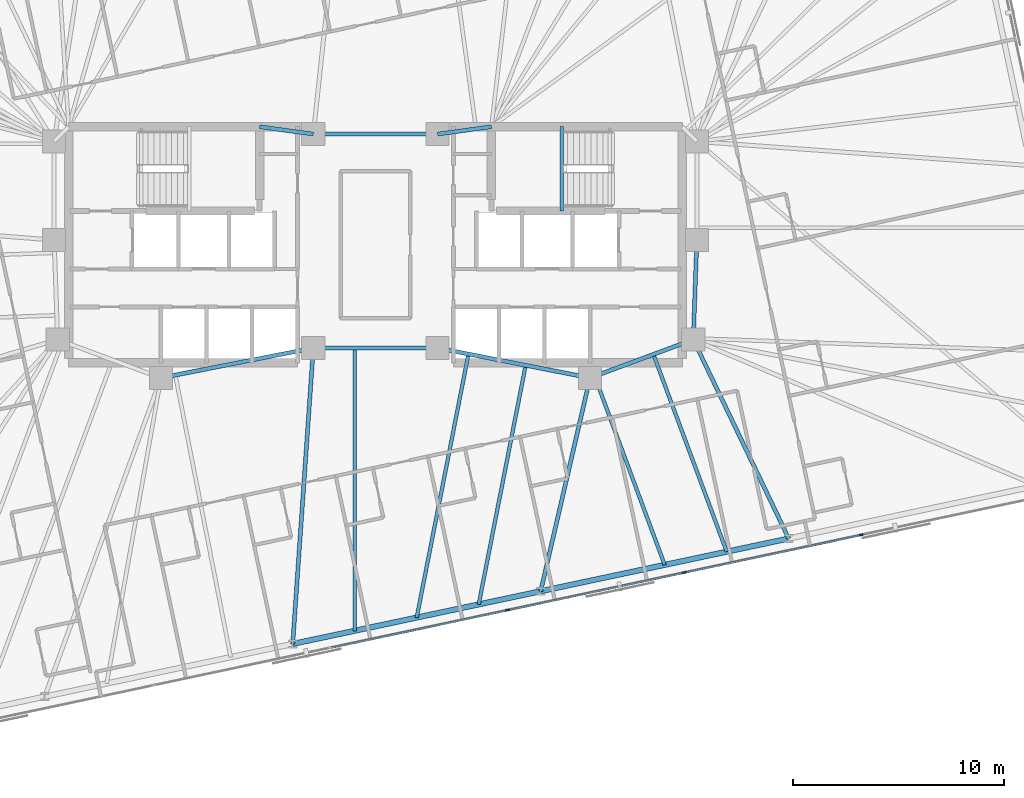
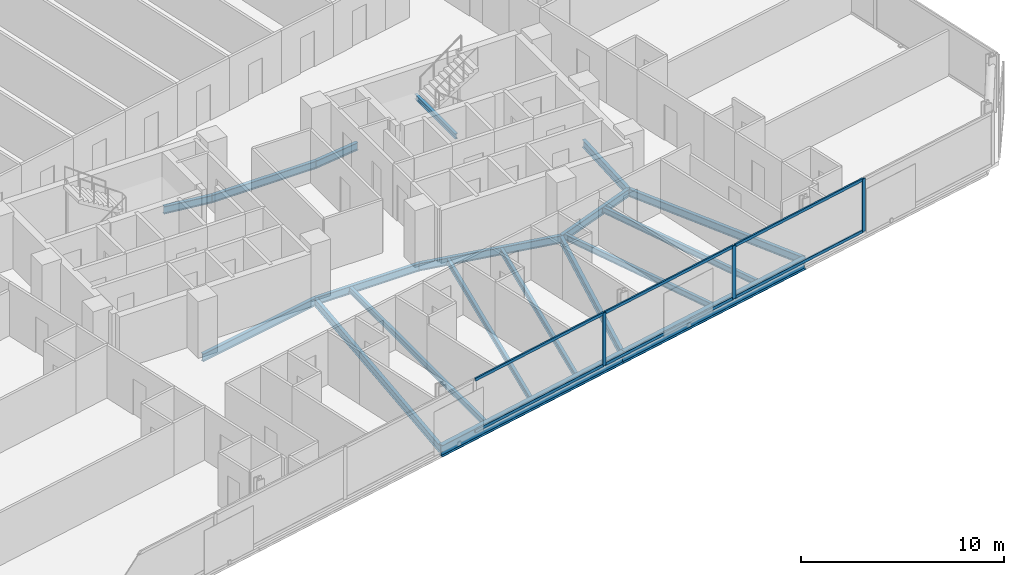
# One storey, part 7 of 21: 19 beams, 9 members, 1 element without a shape of its own.
"""IFC4 building model written with IfcOpenShell, lengths in metres."""

from ifc_helpers import new_model, si_unit, direction, frame, origin, origin_2d, place, context, subcontext, project, spatial, rectangle, i_section, extrude, material, material_profile, profile_set, type_object, element, aggregate, save


model = new_model("IFC4")

# Units and contexts
model_context = context("Model", 3, precision=1e-05, world=origin(), true_north=direction((0.0, 1.0)))
body_context = subcontext(model_context, "Body", "Model", "MODEL_VIEW")
ifc_project = project(units=[si_unit("LENGTHUNIT", "METRE"), si_unit("AREAUNIT", "SQUARE_METRE"), si_unit("VOLUMEUNIT", "CUBIC_METRE"), si_unit("PLANEANGLEUNIT", "RADIAN"), si_unit("MASSUNIT", "GRAM", prefix="KILO")], contexts=[model_context])

# Site, building, storey
site_placement = place(None, origin())
site = spatial("IfcSite", under=ifc_project, at=site_placement, CompositionType="ELEMENT")
building_placement = place(site_placement, origin())
building = spatial("IfcBuilding", under=site, at=building_placement, Name="Menara Jurai Vektor", CompositionType="ELEMENT")
storey_placement = place(building_placement, frame((0.0, 0.0, 168.39990234375)))
storey = spatial("IfcBuildingStorey", under=building, at=storey_placement, Name="L43", CompositionType="ELEMENT", Elevation=168.39990234375)

# Curtain wall, members
ifc_material_1 = material(Name="Anodised Pale Aluminium & Low-E Double Glazing", Category="aluminium")
curtain_wall_type = type_object("IfcCurtainWallType", Name="CW-BLK3", PredefinedType="NOTDEFINED", material=ifc_material_1)
curtain_wall_placement = place(storey_placement, origin())
curtain_wall = element("IfcCurtainWall", 1, at=curtain_wall_placement, inside=storey, type_object=curtain_wall_type, Name="Unitised Curtain Wall L43 F01", PredefinedType="NOTDEFINED")
ifc_material_2 = material(Name="Anodised Pale Aluminium Mullion", Category="aluminium")
ifc_material_profile_1 = material_profile(ifc_material_2, rectangle(XDim=0.0849609375, YDim=0.205078125, at=origin_2d()), Name="ALU MUL 85x205")
ifc_profile_set_1 = profile_set([ifc_material_profile_1], Name="Anodised Pale Aluminium Mullion")
member_type_1 = type_object("IfcMemberType", Name="CW-BLK3-MUL", PredefinedType="MULLION", material=ifc_profile_set_1)
member_1_placement = place(storey_placement, frame((6.264892578125, -17.338623046875, 0.0), z_axis=(0.0, 0.0, 1.0), x_axis=(-0.207911344156, 0.978147674419, 0.0)))
member_1 = element("IfcMember", 2, at=member_1_placement, type_object=member_type_1, Name="CW-03 mullion 5", PredefinedType="MULLION", context=body_context, shape_type="SweptSolid", body=[
    extrude(rectangle(XDim=0.0849609375, YDim=0.205078125, at=origin_2d()), origin(), (0.0, 0.0, 1.0), 3.175048828125),
])
member_2_placement = place(storey_placement, frame((14.65478515625, -15.55517578125, 0.0), z_axis=(0.0, 0.0, 1.0), x_axis=(-0.207911344156, 0.978147674419, 0.0)))
member_2 = element("IfcMember", 3, at=member_2_placement, type_object=member_type_1, Name="CW-03 mullion 6", PredefinedType="MULLION", context=body_context, shape_type="SweptSolid", body=[
    extrude(rectangle(XDim=0.0849609375, YDim=0.205078125, at=origin_2d()), origin(), (0.0, 0.0, 1.0), 3.175048828125),
])
member_3_placement = place(storey_placement, frame((23.04443359375, -13.77197265625, 0.0), z_axis=(0.0, 0.0, 1.0), x_axis=(-0.207911344156, 0.978147674419, 0.0)))
member_3 = element("IfcMember", 4, at=member_3_placement, type_object=member_type_1, Name="CW-03 mullion 7", PredefinedType="MULLION", context=body_context, shape_type="SweptSolid", body=[
    extrude(rectangle(XDim=0.0849609375, YDim=0.205078125, at=origin_2d()), origin(), (0.0, 0.0, 1.0), 3.175048828125),
])
ifc_material_3 = material(Name="Anodised Pale Aluminium Transom", Category="aluminium")
ifc_material_profile_2 = material_profile(ifc_material_3, rectangle(XDim=0.0849609375, YDim=0.175048828125, at=origin_2d()), Name="ALU TRN 85x175")
ifc_profile_set_2 = profile_set([ifc_material_profile_2], Name="Anodised Pale Aluminium Transom")
member_type_2 = type_object("IfcMemberType", Name="CW-BLK3-TRN", PredefinedType="USERDEFINED", material=ifc_profile_set_2)
member_4_placement = place(storey_placement, frame((-2.083251953125, -19.113037109375, 0.04248046875), z_axis=(0.978147743708, 0.207911018178, 0.0), x_axis=(-0.207911018178, 0.978147743708, 0.0)))
member_4 = element("IfcMember", 5, at=member_4_placement, type_object=member_type_2, Name="CW-03 transom 4.1", ObjectType="TRANSOM", PredefinedType="USERDEFINED", context=body_context, shape_type="SweptSolid", body=[
    extrude(rectangle(XDim=0.0849609375, YDim=0.175048828125, at=origin_2d()), origin(), (0.0, 0.0, 1.0), 8.4921875),
])
member_5_placement = place(storey_placement, frame((-2.083251953125, -19.113037109375, 3.132568359375), z_axis=(0.978147743708, 0.207911018178, 0.0), x_axis=(-0.207911018178, 0.978147743708, 0.0)))
member_5 = element("IfcMember", 6, at=member_5_placement, type_object=member_type_2, Name="CW-03 transom 4.2", ObjectType="TRANSOM", PredefinedType="USERDEFINED", context=body_context, shape_type="SweptSolid", body=[
    extrude(rectangle(XDim=0.0849609375, YDim=0.175048828125, at=origin_2d()), origin(), (0.0, 0.0, 1.0), 8.4921875),
])
member_6_placement = place(storey_placement, frame((6.306640625, -17.329833984375, 0.04248046875), z_axis=(0.978146500933, 0.207916864907, 0.0), x_axis=(-0.207916864907, 0.978146500933, 0.0)))
member_6 = element("IfcMember", 7, at=member_6_placement, type_object=member_type_2, Name="CW-03 transom 5.1", ObjectType="TRANSOM", PredefinedType="USERDEFINED", context=body_context, shape_type="SweptSolid", body=[
    extrude(rectangle(XDim=0.0849609375, YDim=0.175048828125, at=origin_2d()), origin(), (0.0, 0.0, 1.0), 8.491943359375),
])
member_7_placement = place(storey_placement, frame((6.306640625, -17.329833984375, 3.132568359375), z_axis=(0.978146500933, 0.207916864907, 0.0), x_axis=(-0.207916864907, 0.978146500933, 0.0)))
member_7 = element("IfcMember", 8, at=member_7_placement, type_object=member_type_2, Name="CW-03 transom 5.2", ObjectType="TRANSOM", PredefinedType="USERDEFINED", context=body_context, shape_type="SweptSolid", body=[
    extrude(rectangle(XDim=0.0849609375, YDim=0.175048828125, at=origin_2d()), origin(), (0.0, 0.0, 1.0), 8.491943359375),
])
member_8_placement = place(storey_placement, frame((14.6962890625, -15.54638671875, 0.04248046875), z_axis=(0.978147743708, 0.207911018178, 0.0), x_axis=(-0.207911018178, 0.978147743708, 0.0)))
member_8 = element("IfcMember", 9, at=member_8_placement, type_object=member_type_2, Name="CW-03 transom 6.1", ObjectType="TRANSOM", PredefinedType="USERDEFINED", context=body_context, shape_type="SweptSolid", body=[
    extrude(rectangle(XDim=0.0849609375, YDim=0.175048828125, at=origin_2d()), origin(), (0.0, 0.0, 1.0), 8.4921875),
])
member_9_placement = place(storey_placement, frame((14.6962890625, -15.54638671875, 3.132568359375), z_axis=(0.978147743708, 0.207911018178, 0.0), x_axis=(-0.207911018178, 0.978147743708, 0.0)))
member_9 = element("IfcMember", 10, at=member_9_placement, type_object=member_type_2, Name="CW-03 transom 6.2", ObjectType="TRANSOM", PredefinedType="USERDEFINED", context=body_context, shape_type="SweptSolid", body=[
    extrude(rectangle(XDim=0.0849609375, YDim=0.175048828125, at=origin_2d()), origin(), (0.0, 0.0, 1.0), 8.4921875),
])
aggregate(curtain_wall, [member_1, member_2, member_3, member_4, member_5, member_6, member_7, member_8, member_9])

# Beams
ifc_material_4 = material(Name="Steel S355", Category="steel")
ifc_material_profile_3 = material_profile(ifc_material_4, i_section(OverallWidth=0.19091796875, OverallDepth=0.4599609375, WebThickness=0.010009765625, FlangeThickness=0.01611328125, FilletRadius=0.010009765625, at=origin_2d()), Name="UKB 457x191x82")
ifc_profile_set_3 = profile_set([ifc_material_profile_3], Name="Steel S355")
beam_type_1 = type_object("IfcBeamType", Name="STR-BM-457", PredefinedType="BEAM", material=ifc_profile_set_3)
beam_1_placement = place(storey_placement, frame((-5.5, 5.60009765625, -0.454833984375), z_axis=(0.990706818608, -0.136014703483, 0.0), x_axis=(0.136014703483, 0.990706818608, 0.0)))
element("IfcBeam", 11, at=beam_1_placement, inside=storey, type_object=beam_type_1, Name="Core Ring Header Girder L43-CHW-N2", PredefinedType="BEAM", context=body_context, shape_type="SweptSolid", body=[
    extrude(i_section(OverallWidth=0.19091796875, OverallDepth=0.4599609375, WebThickness=0.010009765625, FlangeThickness=0.01611328125, FilletRadius=0.010009765625, at=origin_2d()), origin(), (0.0, 0.0, 1.0), 2.573974609375),
])
beam_2_placement = place(storey_placement, frame((-10.179931640625, -6.320068359375, -0.454833984375), z_axis=(0.981249044334, 0.192744164614, 0.0), x_axis=(-0.192744164614, 0.981249044334, 0.0)))
element("IfcBeam", 12, at=beam_2_placement, inside=storey, type_object=beam_type_1, Name="Core Ring Header Girder L43-CHW-S2", PredefinedType="BEAM", context=body_context, shape_type="SweptSolid", body=[
    extrude(i_section(OverallWidth=0.19091796875, OverallDepth=0.4599609375, WebThickness=0.010009765625, FlangeThickness=0.01611328125, FilletRadius=0.010009765625, at=origin_2d()), origin(), (0.0, 0.0, 1.0), 7.3681640625),
])
beam_3_placement = place(storey_placement, frame((2.949951171875, 5.25, -0.454833984375), z_axis=(0.990706818608, 0.136014703483, 0.0), x_axis=(-0.136014703483, 0.990706818608, 0.0)))
element("IfcBeam", 13, at=beam_3_placement, inside=storey, type_object=beam_type_1, Name="Core Ring Header Girder L43-CHE-N1", PredefinedType="BEAM", context=body_context, shape_type="SweptSolid", body=[
    extrude(i_section(OverallWidth=0.19091796875, OverallDepth=0.4599609375, WebThickness=0.010009765625, FlangeThickness=0.01611328125, FilletRadius=0.010009765625, at=origin_2d()), origin(), (0.0, 0.0, 1.0), 2.573974609375),
])
beam_4_placement = place(storey_placement, frame((15.080078125, -4.5, -0.454833984375), z_axis=(0.035977314146, 0.999352606874, 0.0), x_axis=(-0.999352606874, 0.035977314146, 0.0)))
element("IfcBeam", 14, at=beam_4_placement, inside=storey, type_object=beam_type_1, Name="Core Ring Header Girder L43-CHE-E2", PredefinedType="BEAM", context=body_context, shape_type="SweptSolid", body=[
    extrude(i_section(OverallWidth=0.19091796875, OverallDepth=0.4599609375, WebThickness=0.010009765625, FlangeThickness=0.01611328125, FilletRadius=0.010009765625, at=origin_2d()), origin(), (0.0, 0.0, 1.0), 4.72314453125),
])
beam_5_placement = place(storey_placement, frame((10.179931640625, -6.320068359375, -0.454833984375), z_axis=(0.937424400887, 0.348188874925, 0.0), x_axis=(-0.348188874925, 0.937424400887, 0.0)))
element("IfcBeam", 15, at=beam_5_placement, inside=storey, type_object=beam_type_1, Name="Core Ring Header Girder L43-CHE-S1", PredefinedType="BEAM", context=body_context, shape_type="SweptSolid", body=[
    extrude(i_section(OverallWidth=0.19091796875, OverallDepth=0.4599609375, WebThickness=0.010009765625, FlangeThickness=0.01611328125, FilletRadius=0.010009765625, at=origin_2d()), origin(), (0.0, 0.0, 1.0), 5.227294921875),
])
beam_6_placement = place(storey_placement, frame((2.949951171875, -4.89990234375, -0.454833984375), z_axis=(0.981249044334, -0.192744164614, 0.0), x_axis=(0.192744164614, 0.981249044334, 0.0)))
element("IfcBeam", 16, at=beam_6_placement, inside=storey, type_object=beam_type_1, Name="Core Ring Header Girder L43-CHE-S2", PredefinedType="BEAM", context=body_context, shape_type="SweptSolid", body=[
    extrude(i_section(OverallWidth=0.19091796875, OverallDepth=0.4599609375, WebThickness=0.010009765625, FlangeThickness=0.01611328125, FilletRadius=0.010009765625, at=origin_2d()), origin(), (0.0, 0.0, 1.0), 7.3681640625),
])
for number, where, z_axis, x_axis, name in (
    (17, (-2.949951171875, -4.89990234375, -0.454833984375), (1.0, 0.0, 0.0), (0.0, 1.0, 0.0), "Core Ring Header Girder L43-CC-1"),
    (18, (-2.949951171875, 5.25, -0.454833984375), (1.0, 0.0, 0.0), (0.0, 1.0, 0.0), "Core Ring Header Girder L43-CC-2"),
):
    element("IfcBeam", number, at=place(storey_placement, frame(where, z_axis=z_axis, x_axis=x_axis)), inside=storey, type_object=beam_type_1, Name=name, PredefinedType="BEAM", context=body_context, shape_type="SweptSolid", body=[
        extrude(i_section(OverallWidth=0.19091796875, OverallDepth=0.4599609375, WebThickness=0.010009765625, FlangeThickness=0.01611328125, FilletRadius=0.010009765625, at=origin_2d()), origin(), (0.0, 0.0, 1.0), 5.89990234375),
    ])
beam_7_placement = place(storey_placement, frame((-3.928466796875, -18.94287109375, -0.454833984375), z_axis=(0.06951156523, 0.997581145722, 0.0), x_axis=(-0.997581145722, 0.06951156523, 0.0)))
element("IfcBeam", 19, at=beam_7_placement, inside=storey, type_object=beam_type_1, Name="Radial Floor Girder L43-S3", PredefinedType="BEAM", context=body_context, shape_type="SweptSolid", body=[
    extrude(i_section(OverallWidth=0.19091796875, OverallDepth=0.4599609375, WebThickness=0.010009765625, FlangeThickness=0.01611328125, FilletRadius=0.010009765625, at=origin_2d()), origin(), (0.0, 0.0, 1.0), 14.076904296875),
])
beam_8_placement = place(storey_placement, frame((7.83984375, -16.44140625, -0.454833984375), z_axis=(0.225261124248, 0.974298427538, 0.0), x_axis=(-0.974298427538, 0.225261124248, 0.0)))
element("IfcBeam", 20, at=beam_8_placement, inside=storey, type_object=beam_type_1, Name="Radial Floor Girder L43-S4", PredefinedType="BEAM", context=body_context, shape_type="SweptSolid", body=[
    extrude(i_section(OverallWidth=0.19091796875, OverallDepth=0.4599609375, WebThickness=0.010009765625, FlangeThickness=0.01611328125, FilletRadius=0.010009765625, at=origin_2d()), origin(), (0.0, 0.0, 1.0), 10.388427734375),
])
beam_9_placement = place(storey_placement, frame((19.608154296875, -13.940185546875, -0.454833984375), z_axis=(-0.432481646932, 0.901642736935, 0.0), x_axis=(-0.901642736935, -0.432481646932, 0.0)))
element("IfcBeam", 21, at=beam_9_placement, inside=storey, type_object=beam_type_1, Name="Radial Floor Girder L43-S5", PredefinedType="BEAM", context=body_context, shape_type="SweptSolid", body=[
    extrude(i_section(OverallWidth=0.19091796875, OverallDepth=0.4599609375, WebThickness=0.010009765625, FlangeThickness=0.01611328125, FilletRadius=0.010009765625, at=origin_2d()), origin(), (0.0, 0.0, 1.0), 10.469970703125),
])
ifc_material_profile_4 = material_profile(ifc_material_4, i_section(OverallWidth=0.172119140625, OverallDepth=0.35498046875, WebThickness=0.007080078125, FlangeThickness=0.011962890625, FilletRadius=0.010009765625, at=origin_2d()), Name="UKB 356x171x51")
ifc_profile_set_4 = profile_set([ifc_material_profile_4], Name="Steel S355")
beam_type_2 = type_object("IfcBeamType", Name="STR-JS-356", PredefinedType="JOIST", material=ifc_profile_set_4)
beam_10_placement = place(storey_placement, frame((-0.986328125, -18.3173828125, -0.40234375), z_axis=(0.0, 1.0, 0.0), x_axis=(-1.0, 0.0, 0.0)))
element("IfcBeam", 22, at=beam_10_placement, inside=storey, type_object=beam_type_2, Name="Radial Secondary Floor Joist L43-JS05", PredefinedType="JOIST", context=body_context, shape_type="SweptSolid", body=[
    extrude(i_section(OverallWidth=0.172119140625, OverallDepth=0.35498046875, WebThickness=0.007080078125, FlangeThickness=0.011962890625, FilletRadius=0.010009765625, at=origin_2d()), origin(), (0.0, 0.0, 1.0), 13.41748046875),
])
beam_11_placement = place(storey_placement, frame((1.955810546875, -17.692138671875, -0.40234375), z_axis=(0.192721917664, 0.981253413982, 0.0), x_axis=(-0.981253413982, 0.192721917664, 0.0)))
element("IfcBeam", 23, at=beam_11_placement, inside=storey, type_object=beam_type_2, Name="Radial Secondary Floor Joist L43-JS06", PredefinedType="JOIST", context=body_context, shape_type="SweptSolid", body=[
    extrude(i_section(OverallWidth=0.172119140625, OverallDepth=0.35498046875, WebThickness=0.007080078125, FlangeThickness=0.011962890625, FilletRadius=0.010009765625, at=origin_2d()), origin(), (0.0, 0.0, 1.0), 12.744140625),
])
beam_12_placement = place(storey_placement, frame((4.897705078125, -17.06689453125, -0.40234375), z_axis=(0.19272061905, 0.981253669034, 0.0), x_axis=(-0.981253669034, 0.19272061905, 0.0)))
element("IfcBeam", 24, at=beam_12_placement, inside=storey, type_object=beam_type_2, Name="Radial Secondary Floor Joist L43-JS07", PredefinedType="JOIST", context=body_context, shape_type="SweptSolid", body=[
    extrude(i_section(OverallWidth=0.172119140625, OverallDepth=0.35498046875, WebThickness=0.007080078125, FlangeThickness=0.011962890625, FilletRadius=0.010009765625, at=origin_2d()), origin(), (0.0, 0.0, 1.0), 11.5634765625),
])
beam_13_placement = place(storey_placement, frame((13.72412109375, -15.19091796875, -0.40234375), z_axis=(-0.348196799641, 0.93742145736, 0.0), x_axis=(-0.93742145736, -0.348196799641, 0.0)))
element("IfcBeam", 25, at=beam_13_placement, inside=storey, type_object=beam_type_2, Name="Radial Secondary Floor Joist L43-JS08", PredefinedType="JOIST", context=body_context, shape_type="SweptSolid", body=[
    extrude(i_section(OverallWidth=0.172119140625, OverallDepth=0.35498046875, WebThickness=0.007080078125, FlangeThickness=0.011962890625, FilletRadius=0.010009765625, at=origin_2d()), origin(), (0.0, 0.0, 1.0), 9.5498046875),
])
beam_14_placement = place(storey_placement, frame((16.666015625, -14.5654296875, -0.40234375), z_axis=(-0.348180392292, 0.93742755156, 0.0), x_axis=(-0.93742755156, -0.348180392292, 0.0)))
element("IfcBeam", 26, at=beam_14_placement, inside=storey, type_object=beam_type_2, Name="Radial Secondary Floor Joist L43-JS09", PredefinedType="JOIST", context=body_context, shape_type="SweptSolid", body=[
    extrude(i_section(OverallWidth=0.172119140625, OverallDepth=0.35498046875, WebThickness=0.007080078125, FlangeThickness=0.011962890625, FilletRadius=0.010009765625, at=origin_2d()), origin(), (0.0, 0.0, 1.0), 9.98779296875),
])
ifc_material_profile_5 = material_profile(ifc_material_4, i_section(OverallWidth=0.1650390625, OverallDepth=0.302978515625, WebThickness=0.006103515625, FlangeThickness=0.010009765625, FilletRadius=0.009033203125, at=origin_2d()), Name="UKB 305x165x40")
ifc_profile_set_5 = profile_set([ifc_material_profile_5], Name="Steel S355")
beam_type_3 = type_object("IfcBeamType", Name="STR-LN-305", PredefinedType="LINTEL", material=ifc_profile_set_5)
beam_15_placement = place(storey_placement, frame((8.830078125, 1.60009765625, 1.3486328125), z_axis=(0.0, 1.0, 0.0), x_axis=(-1.0, 0.0, 0.0)))
element("IfcBeam", 27, at=beam_15_placement, inside=storey, type_object=beam_type_3, Name="Stair Half-Landing Nosing Trimmer ST2-1 L43", PredefinedType="LINTEL", context=body_context, shape_type="SweptSolid", body=[
    extrude(i_section(OverallWidth=0.1650390625, OverallDepth=0.302978515625, WebThickness=0.006103515625, FlangeThickness=0.010009765625, FilletRadius=0.009033203125, at=origin_2d()), origin(), (0.0, 0.0, 1.0), 4.0),
])
ifc_material_5 = material(Name="Steel S460", Category="steel")
ifc_material_profile_6 = material_profile(ifc_material_5, i_section(OverallWidth=0.256103515625, OverallDepth=0.693115234375, WebThickness=0.013916015625, FlangeThickness=0.02392578125, FilletRadius=0.014892578125, at=origin_2d()), Name="UKB 686x254x170")
ifc_profile_set_6 = profile_set([ifc_material_profile_6], Name="Steel S460")
beam_type_4 = type_object("IfcBeamType", Name="STR-SP-686", PredefinedType="SPANDREL", material=ifc_profile_set_6)
for number, where, z_axis, x_axis, name in (
    (28, (-3.928466796875, -18.94287109375, -0.5712890625), (0.978147039247, 0.207914332389, 0.0), (-0.207914332389, 0.978147039247, 0.0), "Exoskeleton Spandrel Beam L43-03"),
    (29, (7.83984375, -16.44140625, -0.5712890625), (0.978151165921, 0.207894917222, 0.0), (-0.207894917222, 0.978151165921, 0.0), "Exoskeleton Spandrel Beam L43-04"),
):
    element("IfcBeam", number, at=place(storey_placement, frame(where, z_axis=z_axis, x_axis=x_axis)), inside=storey, type_object=beam_type_4, Name=name, PredefinedType="SPANDREL", context=body_context, shape_type="SweptSolid", body=[
        extrude(i_section(OverallWidth=0.256103515625, OverallDepth=0.693115234375, WebThickness=0.013916015625, FlangeThickness=0.02392578125, FilletRadius=0.014892578125, at=origin_2d()), origin(), (0.0, 0.0, 1.0), 12.03125),
    ])

save(model, "model.ifc")
